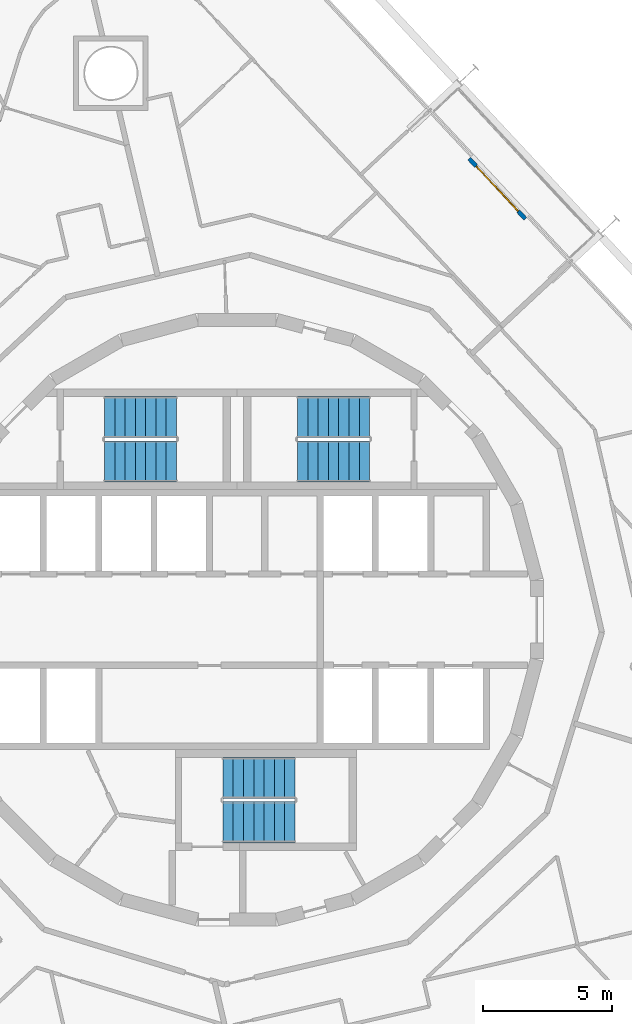
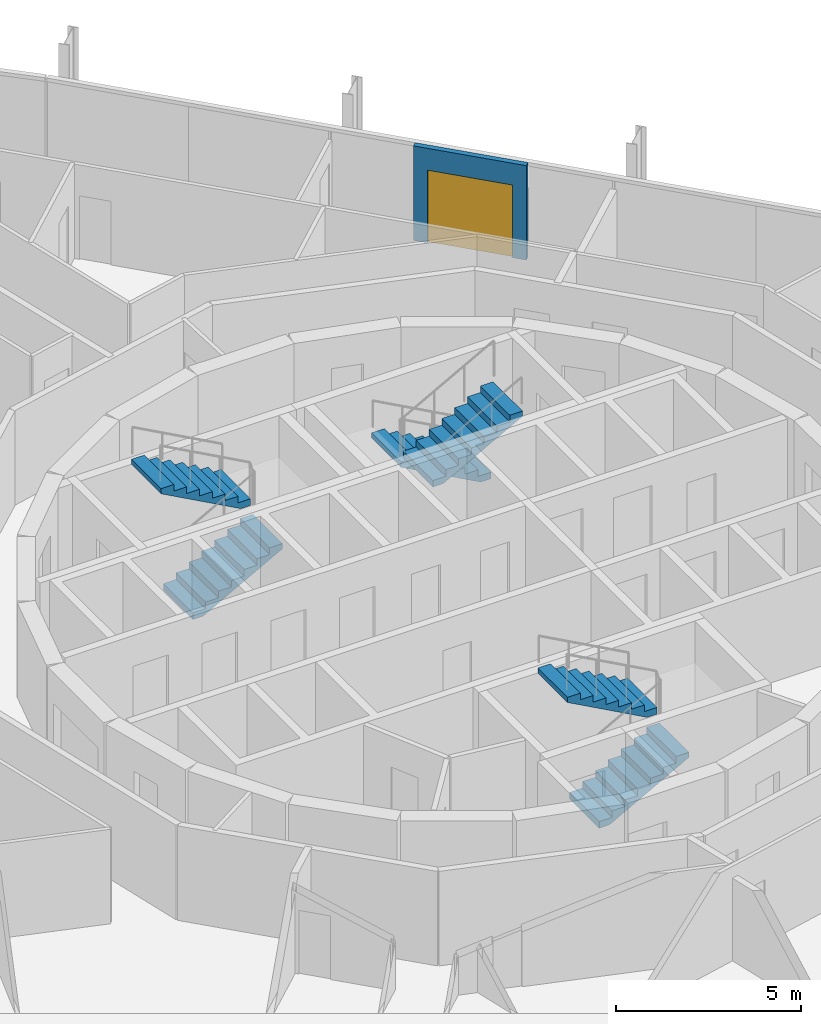
# One storey, part 17 of 18: 6 stair flights, 1 door, 1 wall, 1 opening, 3 elements without a shape of their own.
"""IFC4 building model written with IfcOpenShell, lengths in metres."""

from ifc_helpers import new_model, si_unit, direction, frame, frame_2d, origin, place, context, subcontext, project, spatial, polyline, rectangle, outline, extrude, material, layer, layer_set, type_object, element, fill, aggregate, save


model = new_model("IFC4")

# Units and contexts
model_context = context("Model", 3, precision=1e-05, world=origin(), true_north=direction((0.0, 1.0)))
body_context = subcontext(model_context, "Body", "Model", "MODEL_VIEW")
ifc_project = project(units=[si_unit("LENGTHUNIT", "METRE"), si_unit("AREAUNIT", "SQUARE_METRE"), si_unit("VOLUMEUNIT", "CUBIC_METRE"), si_unit("PLANEANGLEUNIT", "RADIAN"), si_unit("MASSUNIT", "GRAM", prefix="KILO")], contexts=[model_context])

# Site, building, storey
site_placement = place(None, origin())
site = spatial("IfcSite", under=ifc_project, at=site_placement, CompositionType="ELEMENT")
building_placement = place(site_placement, origin())
building = spatial("IfcBuilding", under=site, at=building_placement, Name="Spindle Arch Residences", CompositionType="ELEMENT")
storey_placement = place(building_placement, frame((0.0, 0.0, 137.89990234375)))
storey = spatial("IfcBuildingStorey", under=building, at=storey_placement, Name="L34", CompositionType="ELEMENT", Elevation=137.89990234375)

# Wall, opening, door
ifc_material_1 = material(Name="Non-combustible mineral wool insulated aluminium faced external wall (K0)", Category="aluminium")
ifc_layer = layer(ifc_material_1, 0.159912109375)
ifc_layer_set = layer_set([ifc_layer], Name="Insulated external wall panel 160")
wall_type = type_object("IfcWallType", Name="Insulated external wall panel 160", PredefinedType="STANDARD", material=ifc_layer_set)
wall_placement = place(storey_placement, frame((11.197998046875, 15.57373046875, 0.0), z_axis=(0.0, 0.0, 1.0), x_axis=(-0.681994703002, 0.731357111866, 0.0)))
wall = element("IfcWall", 1, at=wall_placement, inside=storey, type_object=wall_type, Name="External wall L34 bay 8", PredefinedType="STANDARD", context=body_context, shape_type="SweptSolid", body=[
    extrude(rectangle(XDim=3.199951171875, YDim=0.159912109375, at=frame_2d((1.60009765625, 0.0))), origin(), (0.0, 0.0, 1.0), 3.1201171875),
])
opening_placement = place(wall_placement, frame((0.39990234375, 0.0, 0.0)))
opening = element("IfcOpeningElement", 2, at=opening_placement, cuts=wall, Name="Opening BD08", PredefinedType="OPENING", context=body_context, shape_type="SweptSolid", body=[
    extrude(rectangle(XDim=2.39990234375, YDim=2.39990234375, at=frame_2d((1.199951171875, 1.199951171875))), frame((0.0, 0.08984375, 0.0), z_axis=(0.0, -1.0, 0.0), x_axis=(1.0, 0.0, 0.0)), (0.0, 0.0, 1.0), 0.179931640625),
])
ifc_material_2 = material(Name="Bronze aluminium frame, tinted double glazing", Category="aluminium")
door_type = type_object("IfcDoorType", Name="Sliding glazed balcony door 2400x2400", OperationType="DOUBLE_DOOR_SLIDING", PredefinedType="DOOR", material=ifc_material_2)
door_placement = place(opening_placement, origin())
door = element("IfcDoor", 3, at=door_placement, inside=storey, type_object=door_type, Name="Balcony door BD08", OperationType="DOUBLE_DOOR_SLIDING", OverallHeight=2.39990234375, OverallWidth=2.39990234375, PredefinedType="DOOR", context=body_context, shape_type="SweptSolid", body=[
    extrude(rectangle(XDim=2.39990234375, YDim=2.39990234375, at=frame_2d((1.199951171875, 1.199951171875))), frame((0.0, 0.02490234375, 0.0), z_axis=(0.0, -1.0, 0.0), x_axis=(1.0, 0.0, 0.0)), (0.0, 0.0, 1.0), 0.050048828125),
])
fill(opening, door)

# Stair, stair flights
ifc_material_3 = material(Name="Concrete C50/60", Category="concrete")
stair_type = type_object("IfcStairType", Name="Exit stair 16 risers", PredefinedType="HALF_TURN_STAIR", material=ifc_material_3)
stair_1_placement = place(storey_placement, origin())
stair_1 = element("IfcStair", 4, at=stair_1_placement, inside=storey, type_object=stair_type, Name="L34 Exit stair ST1", PredefinedType="HALF_TURN_STAIR")
ifc_material_4 = material(Name="Concrete C50/60", Category="concrete")
stair_flight_type = type_object("IfcStairFlightType", Name="Exit stair flight", PredefinedType="STRAIGHT", material=ifc_material_4)
stair_flight_1_placement = place(storey_placement, frame((5.14990234375, 7.8701171875, 0.0), z_axis=(0.0, 0.0, 1.0), x_axis=(-1.0, 0.0, 0.0)))
stair_flight_1 = element("IfcStairFlight", 5, at=stair_flight_1_placement, type_object=stair_flight_type, Name="ST1 flight 1", NumberOfRisers=8, NumberOfTreads=7, PredefinedType="STRAIGHT", RiserHeight=0.21875, TreadLength=0.4, context=body_context, shape_type="SweptSolid", body=[
    extrude(outline(polyline([(0.0, 0.0), (0.0, 0.21875), (0.39990234375, 0.21875), (0.39990234375, 0.4375), (0.800048828125, 0.4375), (0.800048828125, 0.65625), (1.199951171875, 0.65625), (1.199951171875, 0.875), (1.60009765625, 0.875), (1.60009765625, 1.09375), (2.0, 1.09375), (2.0, 1.3125), (2.39990234375, 1.3125), (2.39990234375, 1.53125), (2.800048828125, 1.53125), (2.800048828125, 1.75), (2.800048828125, 1.3603515625), (0.3125, 0.0), (0.0, 0.0)])), frame((0.0, 0.800048828125, 0.0), z_axis=(0.0, -1.0, 0.0), x_axis=(1.0, 0.0, 0.0)), (0.0, 0.0, 1.0), 1.60009765625),
])
stair_flight_2_placement = place(storey_placement, frame((2.35009765625, 6.14990234375, 1.75), z_axis=(0.0, 0.0, 1.0), x_axis=(1.0, 0.0, 0.0)))
stair_flight_2 = element("IfcStairFlight", 6, at=stair_flight_2_placement, type_object=stair_flight_type, Name="ST1 flight 2", NumberOfRisers=8, NumberOfTreads=7, PredefinedType="STRAIGHT", RiserHeight=0.21875, TreadLength=0.4, context=body_context, shape_type="SweptSolid", body=[
    extrude(outline(polyline([(0.0, 0.0), (0.0, 0.21875), (0.39990234375, 0.21875), (0.39990234375, 0.4375), (0.800048828125, 0.4375), (0.800048828125, 0.65625), (1.199951171875, 0.65625), (1.199951171875, 0.875), (1.60009765625, 0.875), (1.60009765625, 1.09375), (2.0, 1.09375), (2.0, 1.3125), (2.39990234375, 1.3125), (2.39990234375, 1.53125), (2.800048828125, 1.53125), (2.800048828125, 1.75), (2.800048828125, 1.3603515625), (0.3125, 0.0), (0.0, 0.0)])), frame((0.0, 0.800048828125, 0.0), z_axis=(0.0, -1.0, 0.0), x_axis=(1.0, 0.0, 0.0)), (0.0, 0.0, 1.0), 1.60009765625),
])
aggregate(stair_1, [stair_flight_1, stair_flight_2])

stair_2_placement = place(storey_placement, origin())
stair_2 = element("IfcStair", 7, at=stair_2_placement, inside=storey, type_object=stair_type, Name="L34 Exit stair ST2", PredefinedType="HALF_TURN_STAIR")
stair_flight_3_placement = place(storey_placement, frame((-5.14990234375, 6.14990234375, 0.0), z_axis=(0.0, 0.0, 1.0), x_axis=(1.0, 0.0, 0.0)))
stair_flight_3 = element("IfcStairFlight", 8, at=stair_flight_3_placement, type_object=stair_flight_type, Name="ST2 flight 1", NumberOfRisers=8, NumberOfTreads=7, PredefinedType="STRAIGHT", RiserHeight=0.21875, TreadLength=0.4, context=body_context, shape_type="SweptSolid", body=[
    extrude(outline(polyline([(0.0, 0.0), (0.0, 0.21875), (0.39990234375, 0.21875), (0.39990234375, 0.4375), (0.800048828125, 0.4375), (0.800048828125, 0.65625), (1.199951171875, 0.65625), (1.199951171875, 0.875), (1.60009765625, 0.875), (1.60009765625, 1.09375), (2.0, 1.09375), (2.0, 1.3125), (2.39990234375, 1.3125), (2.39990234375, 1.53125), (2.800048828125, 1.53125), (2.800048828125, 1.75), (2.800048828125, 1.3603515625), (0.3125, 0.0), (0.0, 0.0)])), frame((0.0, 0.800048828125, 0.0), z_axis=(0.0, -1.0, 0.0), x_axis=(1.0, 0.0, 0.0)), (0.0, 0.0, 1.0), 1.60009765625),
])
stair_flight_4_placement = place(storey_placement, frame((-2.35009765625, 7.8701171875, 1.75), z_axis=(0.0, 0.0, 1.0), x_axis=(-1.0, 0.0, 0.0)))
stair_flight_4 = element("IfcStairFlight", 9, at=stair_flight_4_placement, type_object=stair_flight_type, Name="ST2 flight 2", NumberOfRisers=8, NumberOfTreads=7, PredefinedType="STRAIGHT", RiserHeight=0.21875, TreadLength=0.4, context=body_context, shape_type="SweptSolid", body=[
    extrude(outline(polyline([(0.0, 0.0), (0.0, 0.21875), (0.39990234375, 0.21875), (0.39990234375, 0.4375), (0.800048828125, 0.4375), (0.800048828125, 0.65625), (1.199951171875, 0.65625), (1.199951171875, 0.875), (1.60009765625, 0.875), (1.60009765625, 1.09375), (2.0, 1.09375), (2.0, 1.3125), (2.39990234375, 1.3125), (2.39990234375, 1.53125), (2.800048828125, 1.53125), (2.800048828125, 1.75), (2.800048828125, 1.3603515625), (0.3125, 0.0), (0.0, 0.0)])), frame((0.0, 0.800048828125, 0.0), z_axis=(0.0, -1.0, 0.0), x_axis=(1.0, 0.0, 0.0)), (0.0, 0.0, 1.0), 1.60009765625),
])
aggregate(stair_2, [stair_flight_3, stair_flight_4])

stair_3_placement = place(storey_placement, origin())
stair_3 = element("IfcStair", 10, at=stair_3_placement, inside=storey, type_object=stair_type, Name="L34 Exit stair ST3", PredefinedType="HALF_TURN_STAIR")
stair_flight_5_placement = place(storey_placement, frame((-0.550048828125, -7.8701171875, 0.0), z_axis=(0.0, 0.0, 1.0), x_axis=(1.0, 0.0, 0.0)))
stair_flight_5 = element("IfcStairFlight", 11, at=stair_flight_5_placement, type_object=stair_flight_type, Name="ST3 flight 1", NumberOfRisers=8, NumberOfTreads=7, PredefinedType="STRAIGHT", RiserHeight=0.21875, TreadLength=0.4, context=body_context, shape_type="SweptSolid", body=[
    extrude(outline(polyline([(0.0, 0.0), (0.0, 0.21875), (0.39990234375, 0.21875), (0.39990234375, 0.4375), (0.800048828125, 0.4375), (0.800048828125, 0.65625), (1.199951171875, 0.65625), (1.199951171875, 0.875), (1.60009765625, 0.875), (1.60009765625, 1.09375), (2.0, 1.09375), (2.0, 1.3125), (2.39990234375, 1.3125), (2.39990234375, 1.53125), (2.800048828125, 1.53125), (2.800048828125, 1.75), (2.800048828125, 1.3603515625), (0.3125, 0.0), (0.0, 0.0)])), frame((0.0, 0.800048828125, 0.0), z_axis=(0.0, -1.0, 0.0), x_axis=(1.0, 0.0, 0.0)), (0.0, 0.0, 1.0), 1.60009765625),
])
stair_flight_6_placement = place(storey_placement, frame((2.25, -6.14990234375, 1.75), z_axis=(0.0, 0.0, 1.0), x_axis=(-1.0, 0.0, 0.0)))
stair_flight_6 = element("IfcStairFlight", 12, at=stair_flight_6_placement, type_object=stair_flight_type, Name="ST3 flight 2", NumberOfRisers=8, NumberOfTreads=7, PredefinedType="STRAIGHT", RiserHeight=0.21875, TreadLength=0.4, context=body_context, shape_type="SweptSolid", body=[
    extrude(outline(polyline([(0.0, 0.0), (0.0, 0.21875), (0.39990234375, 0.21875), (0.39990234375, 0.4375), (0.800048828125, 0.4375), (0.800048828125, 0.65625), (1.199951171875, 0.65625), (1.199951171875, 0.875), (1.60009765625, 0.875), (1.60009765625, 1.09375), (2.0, 1.09375), (2.0, 1.3125), (2.39990234375, 1.3125), (2.39990234375, 1.53125), (2.800048828125, 1.53125), (2.800048828125, 1.75), (2.800048828125, 1.3603515625), (0.3125, 0.0), (0.0, 0.0)])), frame((0.0, 0.800048828125, 0.0), z_axis=(0.0, -1.0, 0.0), x_axis=(1.0, 0.0, 0.0)), (0.0, 0.0, 1.0), 1.60009765625),
])
aggregate(stair_3, [stair_flight_5, stair_flight_6])

save(model, "model.ifc")
